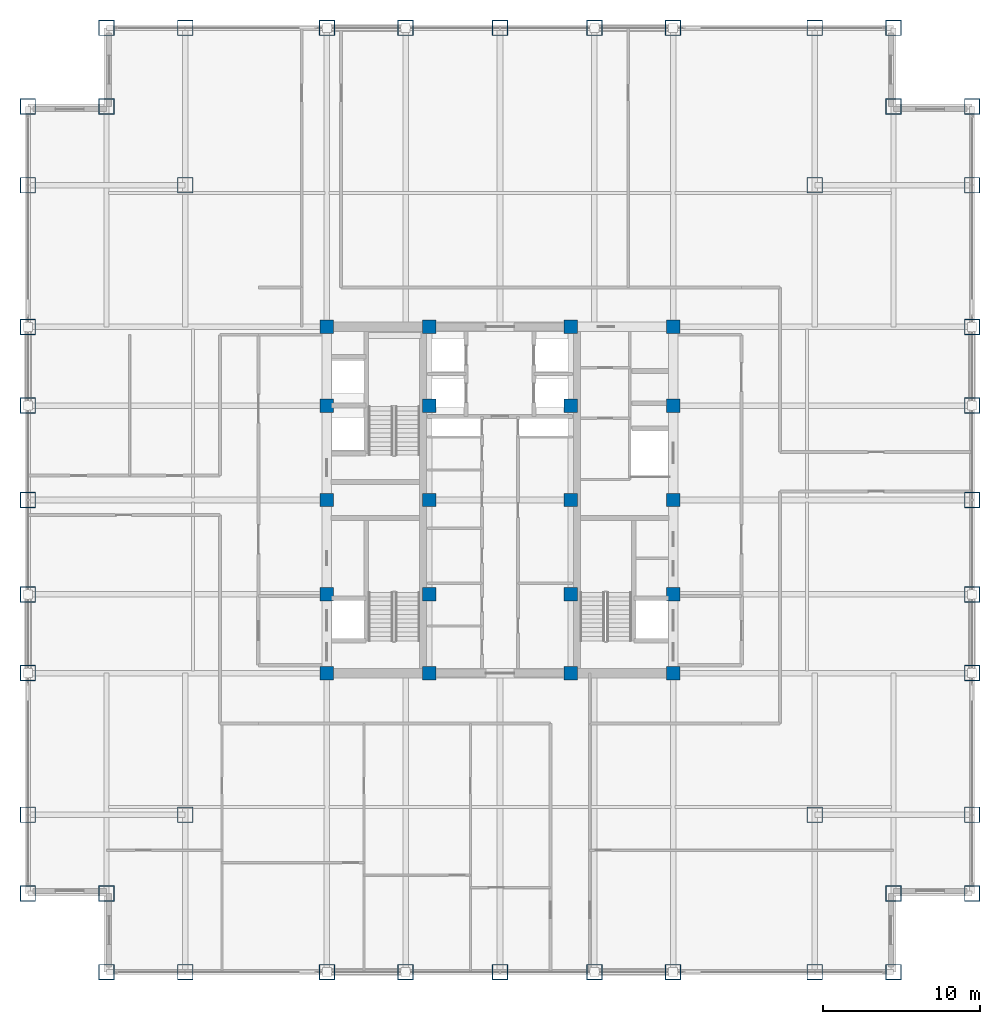
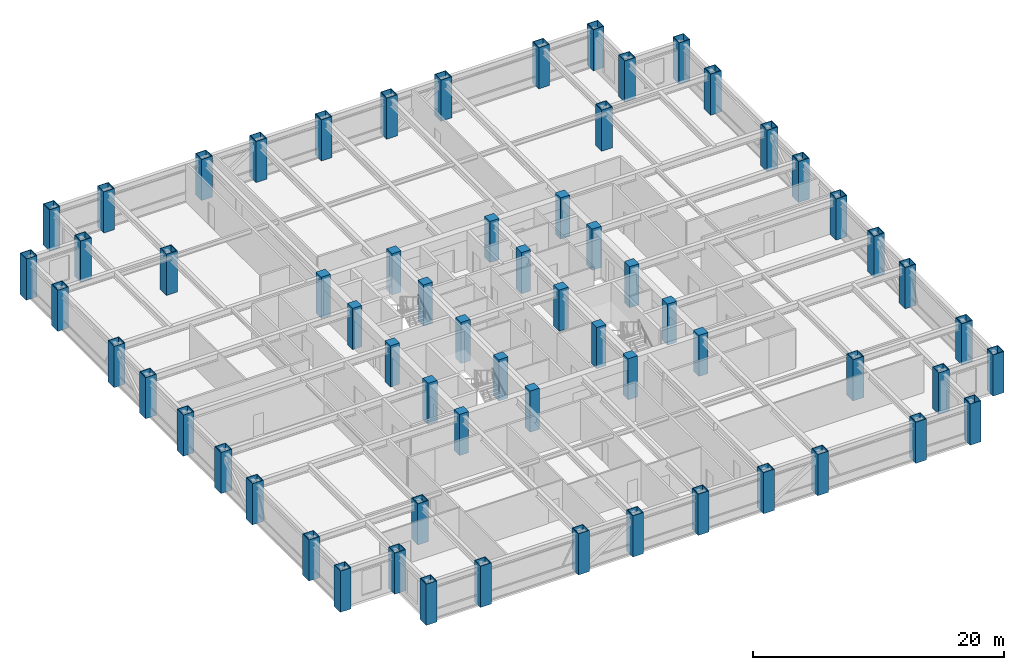
# One storey, part 1 of 24: 64 columns.
"""IFC4 building model written with IfcOpenShell, lengths in metres."""

from ifc_helpers import new_model, si_unit, direction, frame, origin, origin_2d, place, context, subcontext, project, spatial, rectangle, hollow_rectangle, extrude, source, transform, mapped, material, material_profile, profile_set, type_object, element, save


model = new_model("IFC4")

# Units and contexts
model_context = context("Model", 3, precision=1e-05, world=origin(), true_north=direction((0.0, 1.0)))
body_context = subcontext(model_context, "Body", "Model", "MODEL_VIEW")
ifc_project = project(units=[si_unit("LENGTHUNIT", "METRE"), si_unit("AREAUNIT", "SQUARE_METRE"), si_unit("VOLUMEUNIT", "CUBIC_METRE"), si_unit("PLANEANGLEUNIT", "RADIAN"), si_unit("MASSUNIT", "GRAM", prefix="KILO")], contexts=[model_context])

# Site, building, storey
site_placement = place(None, origin())
site = spatial("IfcSite", under=ifc_project, at=site_placement, CompositionType="ELEMENT")
building_placement = place(site_placement, origin())
building = spatial("IfcBuilding", under=site, at=building_placement, Name="Khorayat Bourse Tower", CompositionType="ELEMENT")
storey_placement = place(building_placement, frame((0.0, 0.0, 211.10009765625)))
storey = spatial("IfcBuildingStorey", under=building, at=storey_placement, Name="L49", CompositionType="ELEMENT", Elevation=211.10009765625)

# Columns
ifc_material_1 = material(Name="Concrete C60/75", Category="concrete")
ifc_material_profile_1 = material_profile(ifc_material_1, rectangle(XDim=0.85009765625, YDim=0.85009765625, at=origin_2d()), Name="RC 850x850")
ifc_profile_set_1 = profile_set([ifc_material_profile_1], Name="Concrete C60/75")
column_type_1 = type_object("IfcColumnType", Name="COL-CORE-850", PredefinedType="COLUMN", material=ifc_profile_set_1)
shared_shape_1 = source(origin(), body_context, "Body", "SweptSolid", [
    extrude(rectangle(XDim=0.85009765625, YDim=0.85009765625, at=origin_2d()), origin(), (0.0, 0.0, 1.0), 4.0),
])
for number, where, z_axis, x_axis, name in (
    (1, (-11.0, -11.0, 0.0), (0.0, 0.0, 1.0), (1.0, 0.0, 0.0), "L49 Column 019"),
    (2, (-11.0, -6.0, 0.0), (0.0, 0.0, 1.0), (1.0, 0.0, 0.0), "L49 Column 020"),
    (3, (-11.0, 0.0, 0.0), (0.0, 0.0, 1.0), (1.0, 0.0, 0.0), "L49 Column 021"),
    (4, (-11.0, 6.0, 0.0), (0.0, 0.0, 1.0), (1.0, 0.0, 0.0), "L49 Column 022"),
    (5, (-11.0, 11.0, 0.0), (0.0, 0.0, 1.0), (1.0, 0.0, 0.0), "L49 Column 023"),
    (6, (-4.5, -11.0, 0.0), (0.0, 0.0, 1.0), (1.0, 0.0, 0.0), "L49 Column 027"),
    (7, (-4.5, -6.0, 0.0), (0.0, 0.0, 1.0), (1.0, 0.0, 0.0), "L49 Column 028"),
    (8, (-4.5, 0.0, 0.0), (0.0, 0.0, 1.0), (1.0, 0.0, 0.0), "L49 Column 029"),
    (9, (-4.5, 6.0, 0.0), (0.0, 0.0, 1.0), (1.0, 0.0, 0.0), "L49 Column 030"),
    (10, (-4.5, 11.0, 0.0), (0.0, 0.0, 1.0), (1.0, 0.0, 0.0), "L49 Column 031"),
    (11, (4.5, -11.0, 0.0), (0.0, 0.0, 1.0), (1.0, 0.0, 0.0), "L49 Column 034"),
    (12, (4.5, -6.0, 0.0), (0.0, 0.0, 1.0), (1.0, 0.0, 0.0), "L49 Column 035"),
    (13, (4.5, 0.0, 0.0), (0.0, 0.0, 1.0), (1.0, 0.0, 0.0), "L49 Column 036"),
    (14, (4.5, 6.0, 0.0), (0.0, 0.0, 1.0), (1.0, 0.0, 0.0), "L49 Column 037"),
    (15, (4.5, 11.0, 0.0), (0.0, 0.0, 1.0), (1.0, 0.0, 0.0), "L49 Column 038"),
    (16, (11.0, -11.0, 0.0), (0.0, 0.0, 1.0), (1.0, 0.0, 0.0), "L49 Column 042"),
    (17, (11.0, -6.0, 0.0), (0.0, 0.0, 1.0), (1.0, 0.0, 0.0), "L49 Column 043"),
    (18, (11.0, 0.0, 0.0), (0.0, 0.0, 1.0), (1.0, 0.0, 0.0), "L49 Column 044"),
    (19, (11.0, 6.0, 0.0), (0.0, 0.0, 1.0), (1.0, 0.0, 0.0), "L49 Column 045"),
    (20, (11.0, 11.0, 0.0), (0.0, 0.0, 1.0), (1.0, 0.0, 0.0), "L49 Column 046"),
):
    element("IfcColumn", number, at=place(storey_placement, frame(where, z_axis=z_axis, x_axis=x_axis)), inside=storey, type_object=column_type_1, Name=name, PredefinedType="COLUMN", context=body_context, shape_type="MappedRepresentation", body=[
        mapped(shared_shape_1, transform((0.0, 0.0, 0.0), scale=1.0)),
    ])
ifc_material_2 = material(Name="Steel EN 10025-4 S460M", Category="steel")
ifc_material_profile_2 = material_profile(ifc_material_2, hollow_rectangle(XDim=1.0, YDim=1.0, WallThickness=0.054931640625, at=origin_2d()), Name="BOX 1000x1000x55")
ifc_profile_set_2 = profile_set([ifc_material_profile_2], Name="Steel EN 10025-4 S460M")
column_type_2 = type_object("IfcColumnType", Name="COL-TUBE-1000", PredefinedType="COLUMN", material=ifc_profile_set_2)
shared_shape_2 = source(origin(), body_context, "Body", "SweptSolid", [
    extrude(hollow_rectangle(XDim=1.0, YDim=1.0, WallThickness=0.054931640625, at=origin_2d()), origin(), (0.0, 0.0, 1.0), 4.0),
])
for number, where, z_axis, x_axis, name in (
    (21, (-30.0, -25.0, 0.0), (0.0, 0.0, 1.0), (1.0, 0.0, 0.0), "L49 Column 001"),
    (22, (-30.0, -20.0, 0.0), (0.0, 0.0, 1.0), (1.0, 0.0, 0.0), "L49 Column 002"),
    (23, (-30.0, -11.0, 0.0), (0.0, 0.0, 1.0), (1.0, 0.0, 0.0), "L49 Column 003"),
    (24, (-30.0, -6.0, 0.0), (0.0, 0.0, 1.0), (1.0, 0.0, 0.0), "L49 Column 004"),
    (25, (-30.0, 0.0, 0.0), (0.0, 0.0, 1.0), (1.0, 0.0, 0.0), "L49 Column 005"),
    (26, (-30.0, 6.0, 0.0), (0.0, 0.0, 1.0), (1.0, 0.0, 0.0), "L49 Column 006"),
    (27, (-30.0, 11.0, 0.0), (0.0, 0.0, 1.0), (1.0, 0.0, 0.0), "L49 Column 007"),
    (28, (-30.0, 20.0, 0.0), (0.0, 0.0, 1.0), (1.0, 0.0, 0.0), "L49 Column 008"),
    (29, (-30.0, 25.0, 0.0), (0.0, 0.0, 1.0), (1.0, 0.0, 0.0), "L49 Column 009"),
    (30, (-25.0, -30.0, 0.0), (0.0, 0.0, 1.0), (1.0, 0.0, 0.0), "L49 Column 010"),
    (31, (-25.0, -25.0, 0.0), (0.0, 0.0, 1.0), (1.0, 0.0, 0.0), "L49 Column 011"),
    (32, (-25.0, 25.0, 0.0), (0.0, 0.0, 1.0), (1.0, 0.0, 0.0), "L49 Column 012"),
    (33, (-25.0, 30.0, 0.0), (0.0, 0.0, 1.0), (1.0, 0.0, 0.0), "L49 Column 013"),
    (34, (-20.0, -30.0, 0.0), (0.0, 0.0, 1.0), (1.0, 0.0, 0.0), "L49 Column 014"),
    (35, (-20.0, -20.0, 0.0), (0.0, 0.0, 1.0), (1.0, 0.0, 0.0), "L49 Column 015"),
    (36, (-20.0, 20.0, 0.0), (0.0, 0.0, 1.0), (1.0, 0.0, 0.0), "L49 Column 016"),
    (37, (-20.0, 30.0, 0.0), (0.0, 0.0, 1.0), (1.0, 0.0, 0.0), "L49 Column 017"),
    (38, (-11.0, -30.0, 0.0), (0.0, 0.0, 1.0), (1.0, 0.0, 0.0), "L49 Column 018"),
    (39, (-11.0, 30.0, 0.0), (0.0, 0.0, 1.0), (1.0, 0.0, 0.0), "L49 Column 024"),
    (40, (-6.0, -30.0, 0.0), (0.0, 0.0, 1.0), (1.0, 0.0, 0.0), "L49 Column 025"),
    (41, (-6.0, 30.0, 0.0), (0.0, 0.0, 1.0), (1.0, 0.0, 0.0), "L49 Column 026"),
    (42, (0.0, -30.0, 0.0), (0.0, 0.0, 1.0), (1.0, 0.0, 0.0), "L49 Column 032"),
    (43, (0.0, 30.0, 0.0), (0.0, 0.0, 1.0), (1.0, 0.0, 0.0), "L49 Column 033"),
    (44, (6.0, -30.0, 0.0), (0.0, 0.0, 1.0), (1.0, 0.0, 0.0), "L49 Column 039"),
    (45, (6.0, 30.0, 0.0), (0.0, 0.0, 1.0), (1.0, 0.0, 0.0), "L49 Column 040"),
    (46, (11.0, -30.0, 0.0), (0.0, 0.0, 1.0), (1.0, 0.0, 0.0), "L49 Column 041"),
    (47, (11.0, 30.0, 0.0), (0.0, 0.0, 1.0), (1.0, 0.0, 0.0), "L49 Column 047"),
    (48, (20.0, -30.0, 0.0), (0.0, 0.0, 1.0), (1.0, 0.0, 0.0), "L49 Column 048"),
    (49, (20.0, -20.0, 0.0), (0.0, 0.0, 1.0), (1.0, 0.0, 0.0), "L49 Column 049"),
    (50, (20.0, 20.0, 0.0), (0.0, 0.0, 1.0), (1.0, 0.0, 0.0), "L49 Column 050"),
    (51, (20.0, 30.0, 0.0), (0.0, 0.0, 1.0), (1.0, 0.0, 0.0), "L49 Column 051"),
    (52, (25.0, -30.0, 0.0), (0.0, 0.0, 1.0), (1.0, 0.0, 0.0), "L49 Column 052"),
    (53, (25.0, -25.0, 0.0), (0.0, 0.0, 1.0), (1.0, 0.0, 0.0), "L49 Column 053"),
    (54, (25.0, 25.0, 0.0), (0.0, 0.0, 1.0), (1.0, 0.0, 0.0), "L49 Column 054"),
    (55, (25.0, 30.0, 0.0), (0.0, 0.0, 1.0), (1.0, 0.0, 0.0), "L49 Column 055"),
    (56, (30.0, -25.0, 0.0), (0.0, 0.0, 1.0), (1.0, 0.0, 0.0), "L49 Column 056"),
    (57, (30.0, -20.0, 0.0), (0.0, 0.0, 1.0), (1.0, 0.0, 0.0), "L49 Column 057"),
    (58, (30.0, -11.0, 0.0), (0.0, 0.0, 1.0), (1.0, 0.0, 0.0), "L49 Column 058"),
    (59, (30.0, -6.0, 0.0), (0.0, 0.0, 1.0), (1.0, 0.0, 0.0), "L49 Column 059"),
    (60, (30.0, 0.0, 0.0), (0.0, 0.0, 1.0), (1.0, 0.0, 0.0), "L49 Column 060"),
    (61, (30.0, 6.0, 0.0), (0.0, 0.0, 1.0), (1.0, 0.0, 0.0), "L49 Column 061"),
    (62, (30.0, 11.0, 0.0), (0.0, 0.0, 1.0), (1.0, 0.0, 0.0), "L49 Column 062"),
    (63, (30.0, 20.0, 0.0), (0.0, 0.0, 1.0), (1.0, 0.0, 0.0), "L49 Column 063"),
    (64, (30.0, 25.0, 0.0), (0.0, 0.0, 1.0), (1.0, 0.0, 0.0), "L49 Column 064"),
):
    element("IfcColumn", number, at=place(storey_placement, frame(where, z_axis=z_axis, x_axis=x_axis)), inside=storey, type_object=column_type_2, Name=name, PredefinedType="COLUMN", context=body_context, shape_type="MappedRepresentation", body=[
        mapped(shared_shape_2, transform((0.0, 0.0, 0.0), scale=1.0)),
    ])

save(model, "model.ifc")
